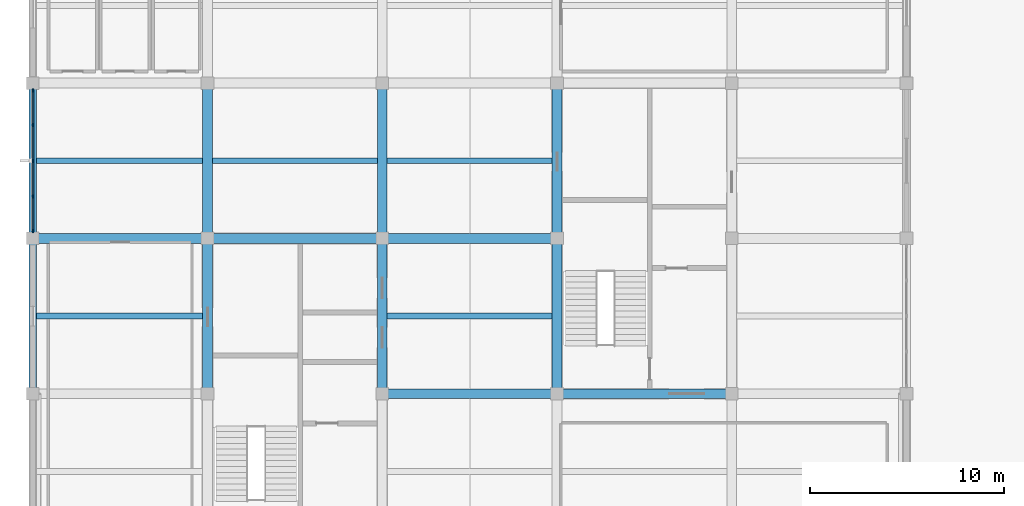
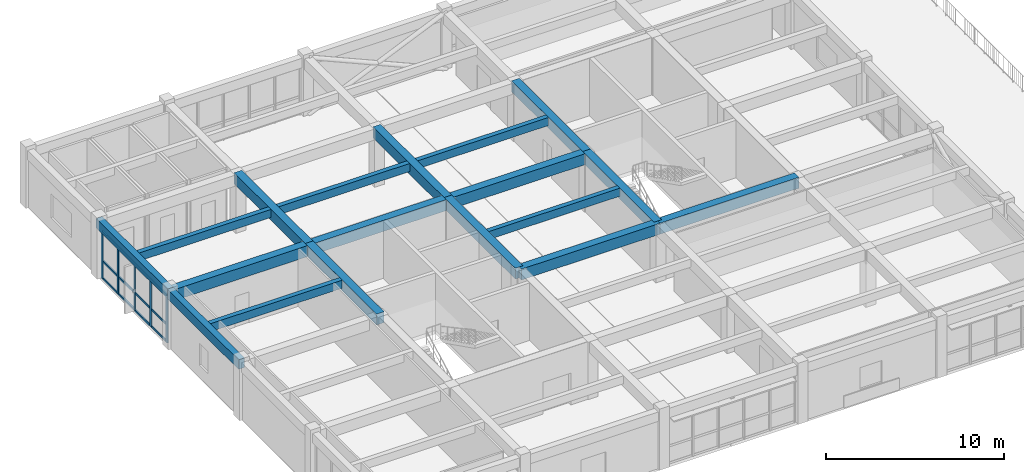
# One storey, part 3 of 12: 18 beams, 8 members, 1 element without a shape of its own.
"""IFC4 building model written with IfcOpenShell, lengths in metres."""

from ifc_helpers import new_model, si_unit, direction, frame, origin, origin_2d, place, context, subcontext, project, spatial, rectangle, extrude, material, material_profile, profile_set, type_object, element, aggregate, save


model = new_model("IFC4")

# Units and contexts
model_context = context("Model", 3, precision=1e-05, world=origin(), true_north=direction((0.0, 1.0)))
body_context = subcontext(model_context, "Body", "Model", "MODEL_VIEW")
ifc_project = project(units=[si_unit("LENGTHUNIT", "METRE"), si_unit("AREAUNIT", "SQUARE_METRE"), si_unit("VOLUMEUNIT", "CUBIC_METRE"), si_unit("PLANEANGLEUNIT", "RADIAN"), si_unit("MASSUNIT", "GRAM", prefix="KILO")], contexts=[model_context])

# Site, building, storey
site_placement = place(None, origin())
site = spatial("IfcSite", under=ifc_project, at=site_placement, CompositionType="ELEMENT")
building_placement = place(site_placement, origin())
building = spatial("IfcBuilding", under=site, at=building_placement, Name="Zaverband Oceanarium and Marine Research Institute", CompositionType="ELEMENT")
storey_placement = place(building_placement, frame((0.0, 0.0, 68.699951171875)))
storey = spatial("IfcBuildingStorey", under=building, at=storey_placement, Name="L17", CompositionType="ELEMENT", Elevation=68.699951171875)

# Beams
ifc_material_1 = material(Name="Concrete C40/50", Category="concrete")
ifc_material_profile_1 = material_profile(ifc_material_1, rectangle(XDim=0.5, YDim=0.75, at=origin_2d()), Name="RC500x750")
ifc_profile_set_1 = profile_set([ifc_material_profile_1], Name="Concrete C40/50")
beam_type_1 = type_object("IfcBeamType", Name="BM-500x750", PredefinedType="BEAM", material=ifc_profile_set_1)
for number, where, z_axis, x_axis, name in (
    (1, (27.0, 88.0, 3.56494140625), (1.0, 0.0, 0.0), (0.0, 1.0, 0.0), "Primary floor girder BM-500x750"),
    (2, (36.0, 88.0, 3.56494140625), (1.0, 0.0, 0.0), (0.0, 1.0, 0.0), "Primary floor girder BM-500x750"),
    (3, (9.0, 96.0, 3.56494140625), (1.0, 0.0, 0.0), (0.0, 1.0, 0.0), "Primary floor girder BM-500x750"),
    (4, (18.0, 96.0, 3.56494140625), (1.0, 0.0, 0.0), (0.0, 1.0, 0.0), "Primary floor girder BM-500x750"),
    (5, (27.0, 96.0, 3.56494140625), (1.0, 0.0, 0.0), (0.0, 1.0, 0.0), "Primary floor girder BM-500x750"),
):
    element("IfcBeam", number, at=place(storey_placement, frame(where, z_axis=z_axis, x_axis=x_axis)), inside=storey, type_object=beam_type_1, Name=name, PredefinedType="BEAM", context=body_context, shape_type="SweptSolid", body=[
        extrude(rectangle(XDim=0.5, YDim=0.75, at=origin_2d()), origin(), (0.0, 0.0, 1.0), 9.0),
    ])
for number, where, z_axis, x_axis, name in (
    (6, (18.0, 88.0, 3.56494140625), (0.0, 1.0, 0.0), (-1.0, 0.0, 0.0), "Primary floor girder BM-500x750"),
    (7, (18.0, 96.0, 3.56494140625), (0.0, 1.0, 0.0), (-1.0, 0.0, 0.0), "Primary floor girder BM-500x750"),
    (8, (27.0, 88.0, 3.56494140625), (0.0, 1.0, 0.0), (-1.0, 0.0, 0.0), "Primary floor girder BM-500x750"),
    (9, (27.0, 96.0, 3.56494140625), (0.0, 1.0, 0.0), (-1.0, 0.0, 0.0), "Primary floor girder BM-500x750"),
    (10, (36.0, 88.0, 3.56494140625), (0.0, 1.0, 0.0), (-1.0, 0.0, 0.0), "Primary floor girder BM-500x750"),
    (11, (36.0, 96.0, 3.56494140625), (0.0, 1.0, 0.0), (-1.0, 0.0, 0.0), "Primary floor girder BM-500x750"),
):
    element("IfcBeam", number, at=place(storey_placement, frame(where, z_axis=z_axis, x_axis=x_axis)), inside=storey, type_object=beam_type_1, Name=name, PredefinedType="BEAM", context=body_context, shape_type="SweptSolid", body=[
        extrude(rectangle(XDim=0.5, YDim=0.75, at=origin_2d()), origin(), (0.0, 0.0, 1.0), 8.0),
    ])
ifc_material_profile_2 = material_profile(ifc_material_1, rectangle(XDim=0.300048828125, YDim=0.550048828125, at=origin_2d()), Name="RC300x550")
ifc_profile_set_2 = profile_set([ifc_material_profile_2], Name="Concrete C40/50")
beam_type_2 = type_object("IfcBeamType", Name="JST-300x550", PredefinedType="JOIST", material=ifc_profile_set_2)
for number, where, z_axis, x_axis, name in (
    (12, (9.199951171875, 92.0, 3.6650390625), (1.0, 0.0, 0.0), (0.0, 1.0, 0.0), "Secondary floor joist JST-300x550"),
    (13, (9.199951171875, 100.0, 3.6650390625), (1.0, 0.0, 0.0), (0.0, 1.0, 0.0), "Secondary floor joist JST-300x550"),
):
    element("IfcBeam", number, at=place(storey_placement, frame(where, z_axis=z_axis, x_axis=x_axis)), inside=storey, type_object=beam_type_2, Name=name, PredefinedType="JOIST", context=body_context, shape_type="SweptSolid", body=[
        extrude(rectangle(XDim=0.300048828125, YDim=0.550048828125, at=origin_2d()), origin(), (0.0, 0.0, 1.0), 8.550048828125),
    ])
for number, where, z_axis, x_axis, name in (
    (14, (18.25, 100.0, 3.6650390625), (1.0, 0.0, 0.0), (0.0, 1.0, 0.0), "Secondary floor joist JST-300x550"),
    (15, (27.25, 92.0, 3.6650390625), (1.0, 0.0, 0.0), (0.0, 1.0, 0.0), "Secondary floor joist JST-300x550"),
    (16, (27.25, 100.0, 3.6650390625), (1.0, 0.0, 0.0), (0.0, 1.0, 0.0), "Secondary floor joist JST-300x550"),
):
    element("IfcBeam", number, at=place(storey_placement, frame(where, z_axis=z_axis, x_axis=x_axis)), inside=storey, type_object=beam_type_2, Name=name, PredefinedType="JOIST", context=body_context, shape_type="SweptSolid", body=[
        extrude(rectangle(XDim=0.300048828125, YDim=0.550048828125, at=origin_2d()), origin(), (0.0, 0.0, 1.0), 8.5),
    ])

# Curtain wall, members
ifc_material_2 = material(Name="Thermally broken anodized aluminium and solar-control glass", Category="aluminium")
curtain_wall_type = type_object("IfcCurtainWallType", Name="CW-UNIT-1800", PredefinedType="NOTDEFINED", material=ifc_material_2)
curtain_wall_placement = place(storey_placement, origin())
curtain_wall = element("IfcCurtainWall", 17, at=curtain_wall_placement, inside=storey, type_object=curtain_wall_type, Name="Unitised glazed curtain wall CW-181", PredefinedType="NOTDEFINED")
ifc_material_3 = material(Name="Thermally broken anodized aluminium", Category="aluminium")
ifc_material_profile_3 = material_profile(ifc_material_3, rectangle(XDim=0.080078125, YDim=0.179931640625, at=origin_2d()), Name="AL-MUL-80x180")
ifc_profile_set_3 = profile_set([ifc_material_profile_3], Name="Thermally broken anodized aluminium")
member_type_1 = type_object("IfcMemberType", Name="MUL-80x180", PredefinedType="MULLION", material=ifc_profile_set_3)
member_1_placement = place(storey_placement, frame((9.0, 96.389892578125, 0.0), z_axis=(0.0, 0.0, 1.0), x_axis=(1.0, 0.0, 0.0)))
member_1 = element("IfcMember", 18, at=member_1_placement, type_object=member_type_1, Name="Curtain wall vertical mullion MUL-80x180", PredefinedType="MULLION", context=body_context, shape_type="SweptSolid", body=[
    extrude(rectangle(XDim=0.080078125, YDim=0.179931640625, at=origin_2d()), origin(), (0.0, 0.0, 1.0), 3.27001953125),
])
member_2_placement = place(storey_placement, frame((9.0, 98.1650390625, 0.0), z_axis=(0.0, 0.0, 1.0), x_axis=(1.0, 0.0, 0.0)))
member_2 = element("IfcMember", 19, at=member_2_placement, type_object=member_type_1, Name="Curtain wall vertical mullion MUL-80x180", PredefinedType="MULLION", context=body_context, shape_type="SweptSolid", body=[
    extrude(rectangle(XDim=0.080078125, YDim=0.179931640625, at=origin_2d()), origin(), (0.0, 0.0, 1.0), 3.27001953125),
])
member_3_placement = place(storey_placement, frame((9.0, 100.0, 0.0), z_axis=(0.0, 0.0, 1.0), x_axis=(1.0, 0.0, 0.0)))
member_3 = element("IfcMember", 20, at=member_3_placement, type_object=member_type_1, Name="Curtain wall vertical mullion MUL-80x180", PredefinedType="MULLION", context=body_context, shape_type="SweptSolid", body=[
    extrude(rectangle(XDim=0.080078125, YDim=0.179931640625, at=origin_2d()), origin(), (0.0, 0.0, 1.0), 3.27001953125),
])
member_4_placement = place(storey_placement, frame((9.0, 101.8349609375, 0.0), z_axis=(0.0, 0.0, 1.0), x_axis=(1.0, 0.0, 0.0)))
member_4 = element("IfcMember", 21, at=member_4_placement, type_object=member_type_1, Name="Curtain wall vertical mullion MUL-80x180", PredefinedType="MULLION", context=body_context, shape_type="SweptSolid", body=[
    extrude(rectangle(XDim=0.080078125, YDim=0.179931640625, at=origin_2d()), origin(), (0.0, 0.0, 1.0), 3.27001953125),
])
member_5_placement = place(storey_placement, frame((9.0, 103.610107421875, 0.0), z_axis=(0.0, 0.0, 1.0), x_axis=(1.0, 0.0, 0.0)))
member_5 = element("IfcMember", 22, at=member_5_placement, type_object=member_type_1, Name="Curtain wall vertical mullion MUL-80x180", PredefinedType="MULLION", context=body_context, shape_type="SweptSolid", body=[
    extrude(rectangle(XDim=0.080078125, YDim=0.179931640625, at=origin_2d()), origin(), (0.0, 0.0, 1.0), 3.27001953125),
])

# Beams
ifc_material_profile_4 = material_profile(ifc_material_1, rectangle(XDim=0.39990234375, YDim=0.64990234375, at=origin_2d()), Name="RC400x650")
ifc_profile_set_4 = profile_set([ifc_material_profile_4], Name="Concrete C40/50")
beam_type_3 = type_object("IfcBeamType", Name="SPN-400x650", PredefinedType="SPANDREL", material=ifc_profile_set_4)
for number, where, z_axis, x_axis, name in (
    (23, (9.0, 88.0, 3.614990234375), (0.0, 1.0, 0.0), (-1.0, 0.0, 0.0), "Perimeter spandrel beam SPN-400x650"),
    (24, (9.0, 96.0, 3.614990234375), (0.0, 1.0, 0.0), (-1.0, 0.0, 0.0), "Perimeter spandrel beam SPN-400x650"),
):
    element("IfcBeam", number, at=place(storey_placement, frame(where, z_axis=z_axis, x_axis=x_axis)), inside=storey, type_object=beam_type_3, Name=name, PredefinedType="SPANDREL", context=body_context, shape_type="SweptSolid", body=[
        extrude(rectangle(XDim=0.39990234375, YDim=0.64990234375, at=origin_2d()), origin(), (0.0, 0.0, 1.0), 8.0),
    ])

# Member
ifc_material_profile_5 = material_profile(ifc_material_3, rectangle(XDim=0.080078125, YDim=0.139892578125, at=origin_2d()), Name="AL-TRN-80x140")
ifc_profile_set_5 = profile_set([ifc_material_profile_5], Name="Thermally broken anodized aluminium")
member_type_2 = type_object("IfcMemberType", Name="TRN-80x140", PredefinedType="USERDEFINED", material=ifc_profile_set_5)
member_6_placement = place(storey_placement, frame((9.0, 96.389892578125, 0.050048828125), z_axis=(0.0, 1.0, 0.0), x_axis=(-1.0, 0.0, 0.0)))
member_6 = element("IfcMember", 25, at=member_6_placement, type_object=member_type_2, Name="Curtain wall horizontal transom TRN-80x140", ObjectType="TRANSOM", PredefinedType="USERDEFINED", context=body_context, shape_type="SweptSolid", body=[
    extrude(rectangle(XDim=0.080078125, YDim=0.139892578125, at=origin_2d()), origin(), (0.0, 0.0, 1.0), 7.22021484375),
])

member_7_placement = place(storey_placement, frame((9.0, 96.389892578125, 1.22412109375), z_axis=(0.0, 1.0, 0.0), x_axis=(-1.0, 0.0, 0.0)))
member_7 = element("IfcMember", 26, at=member_7_placement, type_object=member_type_2, Name="Curtain wall horizontal transom TRN-80x140", ObjectType="TRANSOM", PredefinedType="USERDEFINED", context=body_context, shape_type="SweptSolid", body=[
    extrude(rectangle(XDim=0.080078125, YDim=0.139892578125, at=origin_2d()), origin(), (0.0, 0.0, 1.0), 7.22021484375),
])

member_8_placement = place(storey_placement, frame((9.0, 96.389892578125, 3.219970703125), z_axis=(0.0, 1.0, 0.0), x_axis=(-1.0, 0.0, 0.0)))
member_8 = element("IfcMember", 27, at=member_8_placement, type_object=member_type_2, Name="Curtain wall horizontal transom TRN-80x140", ObjectType="TRANSOM", PredefinedType="USERDEFINED", context=body_context, shape_type="SweptSolid", body=[
    extrude(rectangle(XDim=0.080078125, YDim=0.139892578125, at=origin_2d()), origin(), (0.0, 0.0, 1.0), 7.22021484375),
])

aggregate(curtain_wall, [member_1, member_2, member_3, member_4, member_5, member_6, member_7, member_8])

save(model, "model.ifc")
